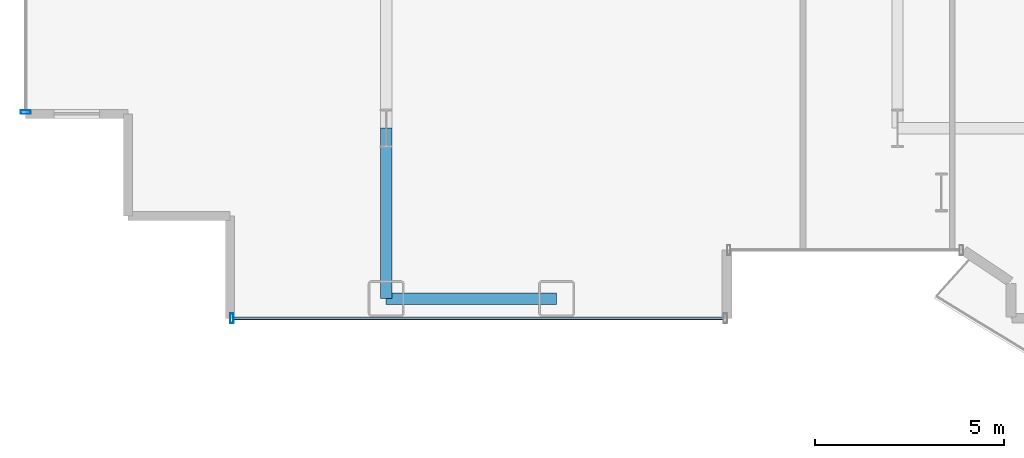
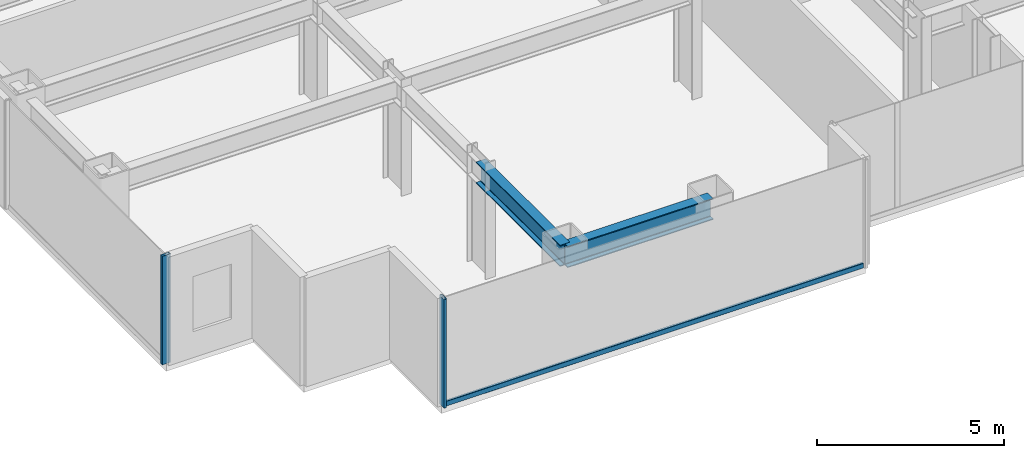
# One storey, part 2 of 29: 3 members, 2 beams, 2 elements without a shape of their own.
"""IFC4 building model written with IfcOpenShell, lengths in metres."""

from ifc_helpers import new_model, si_unit, direction, frame, origin, origin_2d, place, context, subcontext, project, spatial, hollow_rectangle, i_section, extrude, source, transform, mapped, material, layer, layer_set, material_profile, profile_set, type_object, element, aggregate, save


model = new_model("IFC4")

# Units and contexts
model_context = context("Model", 3, precision=1e-05, world=origin(), true_north=direction((0.0, 1.0)))
body_context = subcontext(model_context, "Body", "Model", "MODEL_VIEW")
ifc_project = project(units=[si_unit("LENGTHUNIT", "METRE"), si_unit("AREAUNIT", "SQUARE_METRE"), si_unit("VOLUMEUNIT", "CUBIC_METRE"), si_unit("PLANEANGLEUNIT", "RADIAN"), si_unit("MASSUNIT", "GRAM", prefix="KILO")], contexts=[model_context])

# Site, building, storey
site_placement = place(None, origin())
site = spatial("IfcSite", under=ifc_project, at=site_placement, CompositionType="ELEMENT")
building_placement = place(site_placement, origin())
building = spatial("IfcBuilding", under=site, at=building_placement, Name="Nefas-Gora Pilgrimage Tower", CompositionType="ELEMENT")
storey_placement = place(building_placement, frame((0.0, 0.0, 55.800048828125)))
storey = spatial("IfcBuildingStorey", under=building, at=storey_placement, Name="L12", CompositionType="ELEMENT", Elevation=55.800048828125)

# Beams
ifc_material_1 = material(Name="Steel S355", Category="steel")
ifc_material_profile_1 = material_profile(ifc_material_1, i_section(OverallWidth=0.300048828125, OverallDepth=0.699951171875, WebThickness=0.01708984375, FlangeThickness=0.031982421875, FilletRadius=0.027099609375, at=origin_2d()), Name="HEB 700")
ifc_profile_set_1 = profile_set([ifc_material_profile_1], Name="Steel S355")
beam_type_1 = type_object("IfcBeamType", Name="BM-SPN-HEB600", PredefinedType="SPANDREL", material=ifc_profile_set_1)
shared_shape_1 = source(origin(), body_context, "Body", "SweptSolid", [
    extrude(i_section(OverallWidth=0.300048828125, OverallDepth=0.699951171875, WebThickness=0.01708984375, FlangeThickness=0.031982421875, FilletRadius=0.027099609375, at=origin_2d()), origin(), (0.0, 0.0, 1.0), 4.5),
])
beam_1_placement = place(storey_placement, frame((-24.75, -22.5, 3.199951171875), z_axis=(1.0, 0.0, 0.0), x_axis=(0.0, 1.0, 0.0)))
element("IfcBeam", 1, at=beam_1_placement, inside=storey, type_object=beam_type_1, Name="L12 SP-01 beam", PredefinedType="SPANDREL", context=body_context, shape_type="MappedRepresentation", body=[
    mapped(shared_shape_1, transform((0.0, 0.0, 0.0), x_axis=(1.0, 0.0, 0.0), y_axis=(0.0, 1.0, 0.0), z_axis=(0.0, 0.0, 1.0), scale=1.0)),
])
ifc_material_profile_2 = material_profile(ifc_material_1, i_section(OverallWidth=0.300048828125, OverallDepth=0.699951171875, WebThickness=0.01708984375, FlangeThickness=0.031982421875, FilletRadius=0.027099609375, at=origin_2d()), Name="HEB 700")
ifc_profile_set_2 = profile_set([ifc_material_profile_2], Name="Steel S355")
beam_type_2 = type_object("IfcBeamType", Name="BM-GIR-HEB700", PredefinedType="BEAM", material=ifc_profile_set_2)
shared_shape_2 = source(origin(), body_context, "Body", "SweptSolid", [
    extrude(i_section(OverallWidth=0.300048828125, OverallDepth=0.699951171875, WebThickness=0.01708984375, FlangeThickness=0.031982421875, FilletRadius=0.027099609375, at=origin_2d()), origin(), (0.0, 0.0, 1.0), 4.5),
])
beam_2_placement = place(storey_placement, frame((-24.75, -22.5, 3.199951171875), z_axis=(0.0, 1.0, 0.0), x_axis=(-1.0, 0.0, 0.0)))
element("IfcBeam", 2, at=beam_2_placement, inside=storey, type_object=beam_type_2, Name="L12 G-02 beam", PredefinedType="BEAM", context=body_context, shape_type="MappedRepresentation", body=[
    mapped(shared_shape_2, transform((0.0, 0.0, 0.0), x_axis=(1.0, 0.0, 0.0), y_axis=(0.0, 1.0, 0.0), z_axis=(0.0, 0.0, 1.0), scale=1.0)),
])

# Curtain wall, member
ifc_material_2 = material(Name="Dark ceramic-fritted solar-control aluminium-glass curtain wall", Category="aluminium")
ifc_layer = layer(ifc_material_2, 0.219970703125)
ifc_layer_set = layer_set([ifc_layer], Name="Dark ceramic-fritted solar-control aluminium-glass curtain wall")
curtain_wall_type = type_object("IfcCurtainWallType", Name="CW-SYS-2", PredefinedType="NOTDEFINED", material=ifc_layer_set)
curtain_wall_1_placement = place(storey_placement, origin())
curtain_wall_1 = element("IfcCurtainWall", 3, at=curtain_wall_1_placement, inside=storey, type_object=curtain_wall_type, Name="L12 Unitised Curtain Wall CW2", PredefinedType="NOTDEFINED")
ifc_material_3 = material(Name="Anodised architectural aluminium", Category="aluminium")
ifc_material_profile_3 = material_profile(ifc_material_3, hollow_rectangle(XDim=0.090087890625, YDim=0.260009765625, WallThickness=0.006103515625, InnerFilletRadius=0.006103515625, OuterFilletRadius=0.011962890625, at=origin_2d()), Name="ALU MULLION 90x260")
ifc_profile_set_3 = profile_set([ifc_material_profile_3], Name="Anodised architectural aluminium")
member_type_1 = type_object("IfcMemberType", Name="CWM-MUL-2", PredefinedType="MULLION", material=ifc_profile_set_3)
shared_shape_3 = source(origin(), body_context, "Body", "SweptSolid", [
    extrude(hollow_rectangle(XDim=0.090087890625, YDim=0.260009765625, WallThickness=0.006103515625, InnerFilletRadius=0.006103515625, OuterFilletRadius=0.011962890625, at=origin_2d()), origin(), (0.0, 0.0, 1.0), 3.550048828125),
])
member_1_placement = place(storey_placement, frame((-34.27001953125, -17.574951171875, 0.0), z_axis=(0.0, 0.0, 1.0), x_axis=(0.0, -1.0, 0.0)))
member_1 = element("IfcMember", 4, at=member_1_placement, type_object=member_type_1, Name="CW2 Mullion 2", PredefinedType="MULLION", context=body_context, shape_type="MappedRepresentation", body=[
    mapped(shared_shape_3, transform((0.0, 0.0, 0.0), x_axis=(1.0, 0.0, 0.0), y_axis=(0.0, 1.0, 0.0), z_axis=(0.0, 0.0, 1.0), scale=1.0)),
])
aggregate(curtain_wall_1, [member_1])

# Curtain wall, members
curtain_wall_2_placement = place(storey_placement, origin())
curtain_wall_2 = element("IfcCurtainWall", 5, at=curtain_wall_2_placement, inside=storey, type_object=curtain_wall_type, Name="L12 Unitised Curtain Wall CW2", PredefinedType="NOTDEFINED")
member_2_placement = place(storey_placement, frame((-28.824951171875, -23.02001953125, 0.0), z_axis=(0.0, 0.0, 1.0), x_axis=(1.0, 0.0, 0.0)))
member_2 = element("IfcMember", 6, at=member_2_placement, type_object=member_type_1, Name="CW2 Mullion 1", PredefinedType="MULLION", context=body_context, shape_type="MappedRepresentation", body=[
    mapped(shared_shape_3, transform((0.0, 0.0, 0.0), x_axis=(1.0, 0.0, 0.0), y_axis=(0.0, 1.0, 0.0), z_axis=(0.0, 0.0, 1.0), scale=1.0)),
])
ifc_material_profile_4 = material_profile(ifc_material_3, hollow_rectangle(XDim=0.080078125, YDim=0.159912109375, WallThickness=0.00439453125, InnerFilletRadius=0.00439453125, OuterFilletRadius=0.009033203125, at=origin_2d()), Name="ALU TRANSOM 80x160")
ifc_profile_set_4 = profile_set([ifc_material_profile_4], Name="Anodised architectural aluminium")
member_type_2 = type_object("IfcMemberType", Name="CWM-TRN-2", PredefinedType="USERDEFINED", material=ifc_profile_set_4)
shared_shape_4 = source(origin(), body_context, "Body", "SweptSolid", [
    extrude(hollow_rectangle(XDim=0.080078125, YDim=0.159912109375, WallThickness=0.00439453125, InnerFilletRadius=0.00439453125, OuterFilletRadius=0.009033203125, at=origin_2d()), origin(), (0.0, 0.0, 1.0), 12.93994140625),
])
member_3_placement = place(storey_placement, frame((-28.780029296875, -23.02001953125, 0.050048828125), z_axis=(1.0, 0.0, 0.0), x_axis=(0.0, 1.0, 0.0)))
member_3 = element("IfcMember", 7, at=member_3_placement, type_object=member_type_2, Name="CW2 Spandrel Transom", ObjectType="TRANSOM", PredefinedType="USERDEFINED", context=body_context, shape_type="MappedRepresentation", body=[
    mapped(shared_shape_4, transform((0.0, 0.0, 0.0), x_axis=(1.0, 0.0, 0.0), y_axis=(0.0, 1.0, 0.0), z_axis=(0.0, 0.0, 1.0), scale=1.0)),
])
aggregate(curtain_wall_2, [member_2, member_3])

save(model, "model.ifc")
